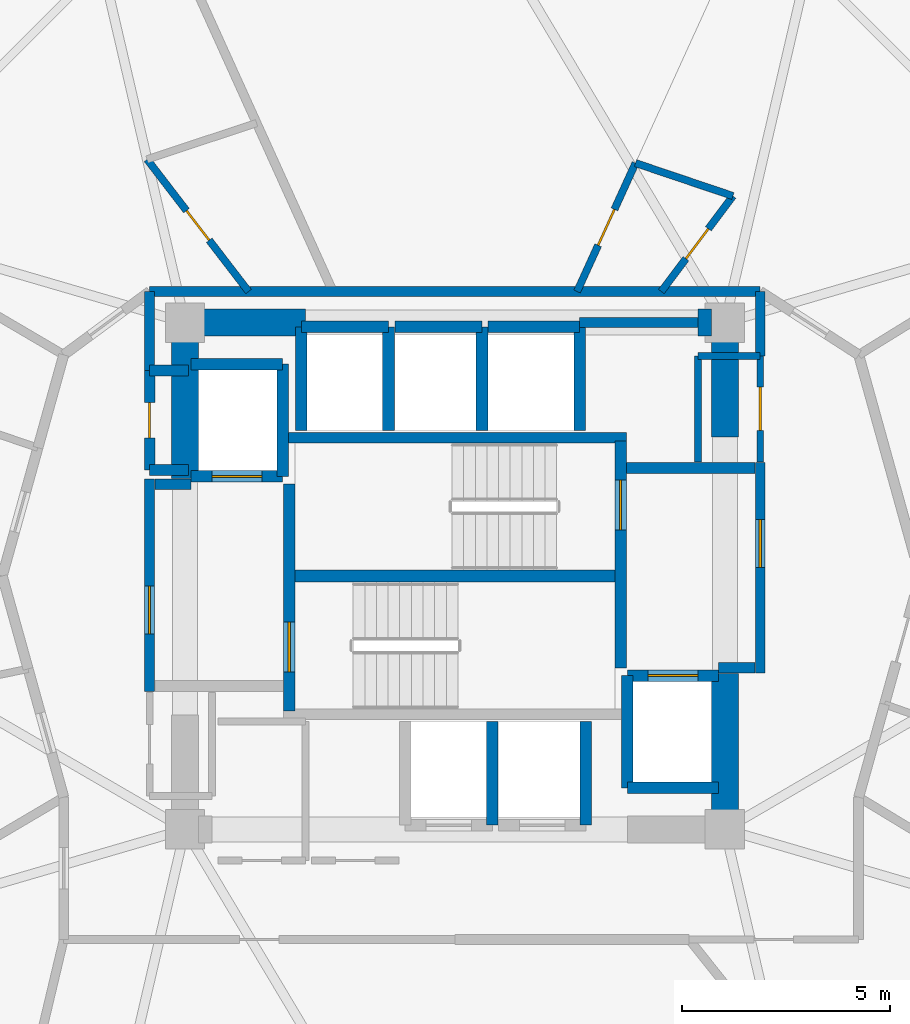
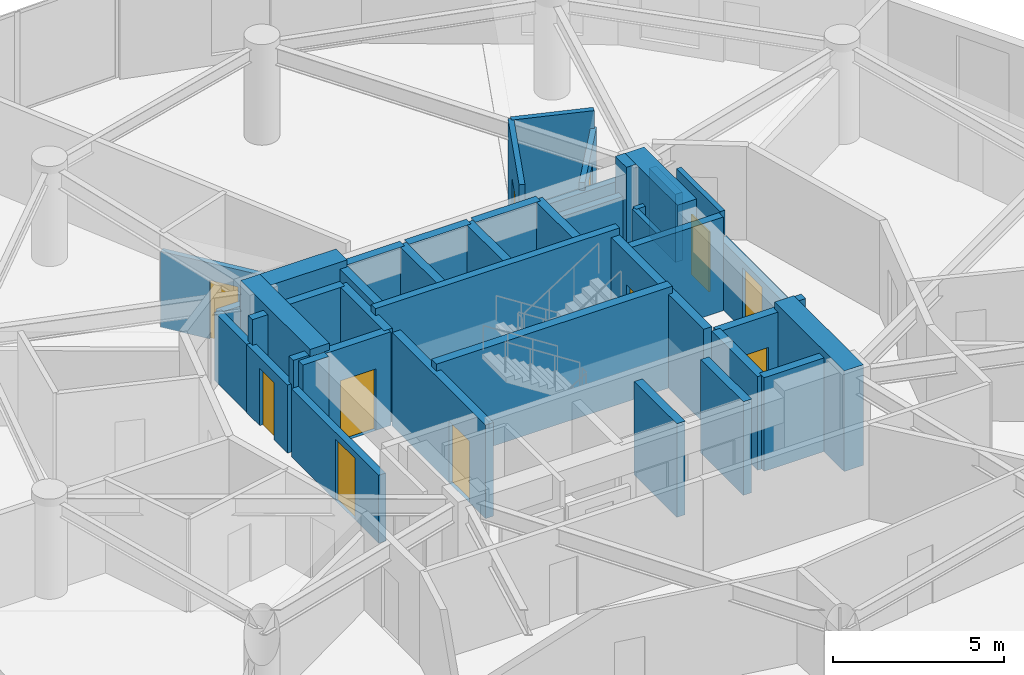
# One storey, part 21 of 25: 43 walls, 11 doors, 11 openings.
"""IFC4 building model written with IfcOpenShell, lengths in metres."""

from ifc_helpers import new_model, si_unit, direction, frame, frame_2d, origin, place, context, subcontext, project, spatial, rectangle, extrude, material, layer, layer_set, type_object, element, fill, save


model = new_model("IFC4")

# Units and contexts
model_context = context("Model", 3, precision=1e-05, world=origin(), true_north=direction((0.0, 1.0)))
body_context = subcontext(model_context, "Body", "Model", "MODEL_VIEW")
ifc_project = project(units=[si_unit("LENGTHUNIT", "METRE"), si_unit("AREAUNIT", "SQUARE_METRE"), si_unit("VOLUMEUNIT", "CUBIC_METRE"), si_unit("PLANEANGLEUNIT", "RADIAN"), si_unit("MASSUNIT", "GRAM", prefix="KILO")], contexts=[model_context])

# Site, building, storey
site_placement = place(None, origin())
site = spatial("IfcSite", under=ifc_project, at=site_placement, CompositionType="ELEMENT")
building_placement = place(site_placement, origin())
building = spatial("IfcBuilding", under=site, at=building_placement, Name="Solvirekh Grand Hotel", CompositionType="ELEMENT")
storey_placement = place(building_placement, frame((0.0, 0.0, 127.800048828125)))
storey = spatial("IfcBuildingStorey", under=building, at=storey_placement, Name="L32", CompositionType="ELEMENT", Elevation=127.800048828125)

# Walls
ifc_material_1 = material(Name="Concrete C50/60", Category="concrete")
ifc_layer_1 = layer(ifc_material_1, 0.35009765625)
ifc_layer_set_1 = layer_set([ifc_layer_1], Name="Concrete C50/60")
wall_type_1 = type_object("IfcWallType", Name="CoreDivWall_RC350", PredefinedType="SOLIDWALL", material=ifc_layer_set_1)
wall_1_placement = place(storey_placement, frame((-4.1298828125, 3.324951171875, 0.0), z_axis=(0.0, 0.0, 1.0), x_axis=(1.0, 0.0, 0.0)))
element("IfcWall", 1, at=wall_1_placement, inside=storey, type_object=wall_type_1, Name="L32 core stair box wall ST-N", PredefinedType="SOLIDWALL", context=body_context, shape_type="SweptSolid", body=[
    extrude(rectangle(XDim=8.259765625, YDim=0.25, at=frame_2d((4.1298828125, 0.0))), origin(), (0.0, 0.0, 1.0), 3.599853515625),
])
ifc_material_2 = material(Name="Concrete C40/50", Category="concrete")
ifc_layer_2 = layer(ifc_material_2, 0.280029296875)
ifc_layer_set_2 = layer_set([ifc_layer_2], Name="Concrete C40/50")
wall_type_2 = type_object("IfcWallType", Name="CoreShaftWall_RC280", PredefinedType="SOLIDWALL", material=ifc_layer_set_2)
for number, where, z_axis, x_axis, name in (
    (2, (0.89990234375, -6.0, 0.0), (0.0, 0.0, 1.0), (0.0, 1.0, 0.0), "L32 MP-1 hoistway E wall"),
    (3, (3.14990234375, -6.0, 0.0), (0.0, 0.0, 1.0), (0.0, 1.0, 0.0), "L32 MP-2 hoistway E wall"),
):
    element("IfcWall", number, at=place(storey_placement, frame(where, z_axis=z_axis, x_axis=x_axis)), inside=storey, type_object=wall_type_2, Name=name, PredefinedType="SOLIDWALL", context=body_context, shape_type="SweptSolid", body=[
        extrude(rectangle(XDim=2.5, YDim=0.280029296875, at=frame_2d((1.25, 0.0))), origin(), (0.0, 0.0, 1.0), 3.349853515625),
    ])
wall_2_placement = place(storey_placement, frame((-1.60009765625, 6.0, 0.0), z_axis=(0.0, 0.0, 1.0), x_axis=(-1.0, 0.0, 0.0)))
element("IfcWall", 4, at=wall_2_placement, inside=storey, type_object=wall_type_2, Name="L32 HP-1 hoistway N wall", PredefinedType="SOLIDWALL", context=body_context, shape_type="SweptSolid", body=[
    extrude(rectangle(XDim=2.099853515625, YDim=0.280029296875, at=frame_2d((1.0498046875, 0.0))), origin(), (0.0, 0.0, 1.0), 3.349853515625),
])
for number, where, z_axis, x_axis, name in (
    (5, (-3.699951171875, 6.0, 0.0), (0.0, 0.0, 1.0), (0.0, -1.0, 0.0), "L32 HP-1 hoistway W wall"),
    (6, (-1.60009765625, 3.5, 0.0), (0.0, 0.0, 1.0), (0.0, 1.0, 0.0), "L32 HP-1 hoistway E wall"),
):
    element("IfcWall", number, at=place(storey_placement, frame(where, z_axis=z_axis, x_axis=x_axis)), inside=storey, type_object=wall_type_2, Name=name, PredefinedType="SOLIDWALL", context=body_context, shape_type="SweptSolid", body=[
        extrude(rectangle(XDim=2.5, YDim=0.280029296875, at=frame_2d((1.25, 0.0))), origin(), (0.0, 0.0, 1.0), 3.349853515625),
    ])
wall_3_placement = place(storey_placement, frame((0.64990234375, 6.0, 0.0), z_axis=(0.0, 0.0, 1.0), x_axis=(-1.0, 0.0, 0.0)))
element("IfcWall", 7, at=wall_3_placement, inside=storey, type_object=wall_type_2, Name="L32 HP-2 hoistway N wall", PredefinedType="SOLIDWALL", context=body_context, shape_type="SweptSolid", body=[
    extrude(rectangle(XDim=2.099853515625, YDim=0.280029296875, at=frame_2d((1.0498046875, 0.0))), origin(), (0.0, 0.0, 1.0), 3.349853515625),
])
wall_4_placement = place(storey_placement, frame((0.64990234375, 3.5, 0.0), z_axis=(0.0, 0.0, 1.0), x_axis=(0.0, 1.0, 0.0)))
element("IfcWall", 8, at=wall_4_placement, inside=storey, type_object=wall_type_2, Name="L32 HP-2 hoistway E wall", PredefinedType="SOLIDWALL", context=body_context, shape_type="SweptSolid", body=[
    extrude(rectangle(XDim=2.5, YDim=0.280029296875, at=frame_2d((1.25, 0.0))), origin(), (0.0, 0.0, 1.0), 3.349853515625),
])
wall_5_placement = place(storey_placement, frame((3.0, 6.0, 0.0), z_axis=(0.0, 0.0, 1.0), x_axis=(-1.0, 0.0, 0.0)))
element("IfcWall", 9, at=wall_5_placement, inside=storey, type_object=wall_type_2, Name="L32 EX-1 hoistway N wall", PredefinedType="SOLIDWALL", context=body_context, shape_type="SweptSolid", body=[
    extrude(rectangle(XDim=2.199951171875, YDim=0.280029296875, at=frame_2d((1.10009765625, 0.0))), origin(), (0.0, 0.0, 1.0), 3.349853515625),
])
wall_6_placement = place(storey_placement, frame((3.0, 3.5, 0.0), z_axis=(0.0, 0.0, 1.0), x_axis=(0.0, 1.0, 0.0)))
element("IfcWall", 10, at=wall_6_placement, inside=storey, type_object=wall_type_2, Name="L32 EX-1 hoistway E wall", PredefinedType="SOLIDWALL", context=body_context, shape_type="SweptSolid", body=[
    extrude(rectangle(XDim=2.5, YDim=0.280029296875, at=frame_2d((1.25, 0.0))), origin(), (0.0, 0.0, 1.0), 3.349853515625),
])

# Wall, opening, door
wall_7_placement = place(storey_placement, frame((-6.35009765625, 2.39990234375, 0.0), z_axis=(0.0, 0.0, 1.0), x_axis=(1.0, 0.0, 0.0)))
wall_7 = element("IfcWall", 11, at=wall_7_placement, inside=storey, type_object=wall_type_2, Name="L32 FL-1 hoistway S wall", PredefinedType="SOLIDWALL", context=body_context, shape_type="SweptSolid", body=[
    extrude(rectangle(XDim=2.2001953125, YDim=0.280029296875, at=frame_2d((1.10009765625, 0.0))), origin(), (0.0, 0.0, 1.0), 3.349853515625),
])
opening_1_placement = place(wall_7_placement, frame((0.5, 0.0, 0.0)))
opening_1 = element("IfcOpeningElement", 12, at=opening_1_placement, cuts=wall_7, Name="Opening LD02", PredefinedType="OPENING", context=body_context, shape_type="SweptSolid", body=[
    extrude(rectangle(XDim=1.199951171875, YDim=2.199951171875, at=frame_2d((0.60009765625, 1.10009765625))), frame((0.0, 0.14990234375, 0.0), z_axis=(0.0, -1.0, 0.0), x_axis=(1.0, 0.0, 0.0)), (0.0, 0.0, 1.0), 0.300048828125),
])
ifc_material_3 = material(Name="Fire-Rated Steel Door Assembly", Category="steel")
door_type_1 = type_object("IfcDoorType", Name="Door_LiftFF_1200X2200", OperationType="SLIDING_TO_LEFT", PredefinedType="DOOR", material=ifc_material_3)
door_1_placement = place(opening_1_placement, origin())
door_1 = element("IfcDoor", 13, at=door_1_placement, inside=storey, type_object=door_type_1, Name="L32 FL-1 sliding lift landing door", OperationType="SLIDING_TO_LEFT", OverallHeight=2.199951171875, OverallWidth=1.199951171875, PredefinedType="DOOR", context=body_context, shape_type="SweptSolid", body=[
    extrude(rectangle(XDim=1.199951171875, YDim=2.199951171875, at=frame_2d((0.60009765625, 1.10009765625))), frame((0.0, 0.02490234375, 0.0), z_axis=(0.0, -1.0, 0.0), x_axis=(1.0, 0.0, 0.0)), (0.0, 0.0, 1.0), 0.050048828125),
])
fill(opening_1, door_1)

# Walls
wall_8_placement = place(storey_placement, frame((-4.14990234375, 5.10009765625, 0.0), z_axis=(0.0, 0.0, 1.0), x_axis=(-1.0, 0.0, 0.0)))
element("IfcWall", 14, at=wall_8_placement, inside=storey, type_object=wall_type_2, Name="L32 FL-1 hoistway N wall", PredefinedType="SOLIDWALL", context=body_context, shape_type="SweptSolid", body=[
    extrude(rectangle(XDim=2.2001953125, YDim=0.280029296875, at=frame_2d((1.10009765625, 0.0))), origin(), (0.0, 0.0, 1.0), 3.349853515625),
])
wall_9_placement = place(storey_placement, frame((-4.14990234375, 2.39990234375, 0.0), z_axis=(0.0, 0.0, 1.0), x_axis=(0.0, 1.0, 0.0)))
element("IfcWall", 15, at=wall_9_placement, inside=storey, type_object=wall_type_2, Name="L32 FL-1 hoistway E wall", PredefinedType="SOLIDWALL", context=body_context, shape_type="SweptSolid", body=[
    extrude(rectangle(XDim=2.7001953125, YDim=0.280029296875, at=frame_2d((1.35009765625, 0.0))), origin(), (0.0, 0.0, 1.0), 3.349853515625),
])
wall_10_placement = place(storey_placement, frame((4.14990234375, -5.10009765625, 0.0), z_axis=(0.0, 0.0, 1.0), x_axis=(1.0, 0.0, 0.0)))
element("IfcWall", 16, at=wall_10_placement, inside=storey, type_object=wall_type_2, Name="L32 FL-2 hoistway S wall", PredefinedType="SOLIDWALL", context=body_context, shape_type="SweptSolid", body=[
    extrude(rectangle(XDim=2.2001953125, YDim=0.280029296875, at=frame_2d((1.10009765625, 0.0))), origin(), (0.0, 0.0, 1.0), 3.349853515625),
])

# Wall, opening, door
wall_11_placement = place(storey_placement, frame((6.35009765625, -2.39990234375, 0.0), z_axis=(0.0, 0.0, 1.0), x_axis=(-1.0, 0.0, 0.0)))
wall_11 = element("IfcWall", 17, at=wall_11_placement, inside=storey, type_object=wall_type_2, Name="L32 FL-2 hoistway N wall", PredefinedType="SOLIDWALL", context=body_context, shape_type="SweptSolid", body=[
    extrude(rectangle(XDim=2.2001953125, YDim=0.280029296875, at=frame_2d((1.10009765625, 0.0))), origin(), (0.0, 0.0, 1.0), 3.349853515625),
])
opening_2_placement = place(wall_11_placement, frame((0.5, 0.0, 0.0)))
opening_2 = element("IfcOpeningElement", 18, at=opening_2_placement, cuts=wall_11, Name="Opening LD02", PredefinedType="OPENING", context=body_context, shape_type="SweptSolid", body=[
    extrude(rectangle(XDim=1.199951171875, YDim=2.199951171875, at=frame_2d((0.60009765625, 1.10009765625))), frame((0.0, 0.14990234375, 0.0), z_axis=(0.0, -1.0, 0.0), x_axis=(1.0, 0.0, 0.0)), (0.0, 0.0, 1.0), 0.300048828125),
])
door_2_placement = place(opening_2_placement, origin())
door_2 = element("IfcDoor", 19, at=door_2_placement, inside=storey, type_object=door_type_1, Name="L32 FL-2 sliding lift landing door", OperationType="SLIDING_TO_LEFT", OverallHeight=2.199951171875, OverallWidth=1.199951171875, PredefinedType="DOOR", context=body_context, shape_type="SweptSolid", body=[
    extrude(rectangle(XDim=1.199951171875, YDim=2.199951171875, at=frame_2d((0.60009765625, 1.10009765625))), frame((0.0, 0.02490234375, 0.0), z_axis=(0.0, -1.0, 0.0), x_axis=(1.0, 0.0, 0.0)), (0.0, 0.0, 1.0), 0.050048828125),
])
fill(opening_2, door_2)

# Wall
wall_12_placement = place(storey_placement, frame((4.14990234375, -2.39990234375, 0.0), z_axis=(0.0, 0.0, 1.0), x_axis=(0.0, -1.0, 0.0)))
element("IfcWall", 20, at=wall_12_placement, inside=storey, type_object=wall_type_2, Name="L32 FL-2 hoistway W wall", PredefinedType="SOLIDWALL", context=body_context, shape_type="SweptSolid", body=[
    extrude(rectangle(XDim=2.7001953125, YDim=0.280029296875, at=frame_2d((1.35009765625, 0.0))), origin(), (0.0, 0.0, 1.0), 3.349853515625),
])

# Wall, opening, door
wall_13_placement = place(storey_placement, frame((-3.989990234375, -3.25, 0.0), z_axis=(0.0, 0.0, 1.0), x_axis=(0.0, 1.0, 0.0)))
wall_13 = element("IfcWall", 21, at=wall_13_placement, inside=storey, type_object=wall_type_2, Name="L32 west stair landing enclosure wall", PredefinedType="SOLIDWALL", context=body_context, shape_type="SweptSolid", body=[
    extrude(rectangle(XDim=5.4599609375, YDim=0.280029296875, at=frame_2d((2.72998046875, 0.0))), origin(), (0.0, 0.0, 1.0), 3.349853515625),
])
opening_3_placement = place(wall_13_placement, frame((0.93701171875, 0.0, 0.0)))
opening_3 = element("IfcOpeningElement", 22, at=opening_3_placement, cuts=wall_13, Name="Opening D05", PredefinedType="OPENING", context=body_context, shape_type="SweptSolid", body=[
    extrude(rectangle(XDim=1.199951171875, YDim=2.199951171875, at=frame_2d((0.60009765625, 1.10009765625))), frame((0.0, 0.14990234375, 0.0), z_axis=(0.0, -1.0, 0.0), x_axis=(1.0, 0.0, 0.0)), (0.0, 0.0, 1.0), 0.300048828125),
])
door_type_2 = type_object("IfcDoorType", Name="Door_StairCore_1200X2200", OperationType="NOTDEFINED", PredefinedType="DOOR", material=ifc_material_3)
door_3_placement = place(opening_3_placement, origin())
door_3 = element("IfcDoor", 23, at=door_3_placement, inside=storey, type_object=door_type_2, Name="L32 exit stair ST-1 fire door", OperationType="SINGLE_SWING_RIGHT", OverallHeight=2.199951171875, OverallWidth=1.199951171875, PredefinedType="DOOR", context=body_context, shape_type="SweptSolid", body=[
    extrude(rectangle(XDim=1.199951171875, YDim=2.199951171875, at=frame_2d((0.60009765625, 1.10009765625))), frame((0.0, 0.02490234375, 0.0), z_axis=(0.0, -1.0, 0.0), x_axis=(1.0, 0.0, 0.0)), (0.0, 0.0, 1.0), 0.050048828125),
])
fill(opening_3, door_3)

wall_14_placement = place(storey_placement, frame((3.989990234375, -2.2099609375, 0.0), z_axis=(0.0, 0.0, 1.0), x_axis=(0.0, 1.0, 0.0)))
wall_14 = element("IfcWall", 24, at=wall_14_placement, inside=storey, type_object=wall_type_2, Name="L32 east stair landing enclosure wall", PredefinedType="SOLIDWALL", context=body_context, shape_type="SweptSolid", body=[
    extrude(rectangle(XDim=5.4599609375, YDim=0.280029296875, at=frame_2d((2.72998046875, 0.0))), origin(), (0.0, 0.0, 1.0), 3.349853515625),
])
opening_4_placement = place(wall_14_placement, frame((3.322998046875, 0.0, 0.0)))
opening_4 = element("IfcOpeningElement", 25, at=opening_4_placement, cuts=wall_14, Name="Opening D05", PredefinedType="OPENING", context=body_context, shape_type="SweptSolid", body=[
    extrude(rectangle(XDim=1.199951171875, YDim=2.199951171875, at=frame_2d((0.60009765625, 1.10009765625))), frame((0.0, 0.14990234375, 0.0), z_axis=(0.0, -1.0, 0.0), x_axis=(1.0, 0.0, 0.0)), (0.0, 0.0, 1.0), 0.300048828125),
])
door_4_placement = place(opening_4_placement, origin())
door_4 = element("IfcDoor", 26, at=door_4_placement, inside=storey, type_object=door_type_2, Name="L32 exit stair ST-2 fire door", OperationType="SINGLE_SWING_LEFT", OverallHeight=2.199951171875, OverallWidth=1.199951171875, PredefinedType="DOOR", context=body_context, shape_type="SweptSolid", body=[
    extrude(rectangle(XDim=1.199951171875, YDim=2.199951171875, at=frame_2d((0.60009765625, 1.10009765625))), frame((0.0, 0.02490234375, 0.0), z_axis=(0.0, -1.0, 0.0), x_axis=(1.0, 0.0, 0.0)), (0.0, 0.0, 1.0), 0.050048828125),
])
fill(opening_4, door_4)

# Walls
ifc_layer_3 = layer(ifc_material_1, 0.64990234375)
ifc_layer_set_3 = layer_set([ifc_layer_3], Name="Concrete C50/60")
wall_type_3 = type_object("IfcWallType", Name="CoreWall_RC650", PredefinedType="SHEAR", material=ifc_layer_set_3)
wall_15_placement = place(storey_placement, frame((-3.989990234375, 0.0, 0.0), z_axis=(0.0, 0.0, 1.0), x_axis=(1.0, 0.0, 0.0)))
element("IfcWall", 27, at=wall_15_placement, inside=storey, type_object=wall_type_3, Name="L32 central stair-spine shear wall", PredefinedType="SHEAR", context=body_context, shape_type="SweptSolid", body=[
    extrude(rectangle(XDim=7.97998046875, YDim=0.300048828125, at=frame_2d((3.989990234375, 0.0))), origin(), (0.0, 0.0, 1.0), 3.599853515625),
])
wall_16_placement = place(storey_placement, frame((-6.175048828125, 6.10009765625, 0.0), z_axis=(0.0, 0.0, 1.0), x_axis=(1.0, 0.0, 0.0)))
element("IfcWall", 28, at=wall_16_placement, inside=storey, type_object=wall_type_3, Name="L32 core corner shear wall NW-N", PredefinedType="SHEAR", context=body_context, shape_type="SweptSolid", body=[
    extrude(rectangle(XDim=2.574951171875, YDim=0.64990234375, at=frame_2d((1.28759765625, 0.0))), origin(), (0.0, 0.0, 1.0), 3.599853515625),
])
wall_17_placement = place(storey_placement, frame((5.85009765625, 6.10009765625, 0.0), z_axis=(0.0, 0.0, 1.0), x_axis=(1.0, 0.0, 0.0)))
element("IfcWall", 29, at=wall_17_placement, inside=storey, type_object=wall_type_3, Name="L32 core corner shear wall NE-N", PredefinedType="SHEAR", context=body_context, shape_type="SweptSolid", body=[
    extrude(rectangle(XDim=0.324951171875, YDim=0.64990234375, at=frame_2d((0.16259765625, 0.0))), origin(), (0.0, 0.0, 1.0), 3.599853515625),
])
for number, where, z_axis, x_axis, name in (
    (30, (-6.5, 2.35009765625, 0.0), (0.0, 0.0, 1.0), (0.0, 1.0, 0.0), "L32 core corner shear wall WN-W"),
    (31, (6.5, -6.425048828125, 0.0), (0.0, 0.0, 1.0), (0.0, 1.0, 0.0), "L32 core corner shear wall ES-E"),
):
    element("IfcWall", number, at=place(storey_placement, frame(where, z_axis=z_axis, x_axis=x_axis)), inside=storey, type_object=wall_type_3, Name=name, PredefinedType="SHEAR", context=body_context, shape_type="SweptSolid", body=[
        extrude(rectangle(XDim=4.074951171875, YDim=0.64990234375, at=frame_2d((2.03759765625, 0.0))), origin(), (0.0, 0.0, 1.0), 3.599853515625),
    ])
wall_18_placement = place(storey_placement, frame((6.5, 3.35009765625, 0.0), z_axis=(0.0, 0.0, 1.0), x_axis=(0.0, 1.0, 0.0)))
element("IfcWall", 32, at=wall_18_placement, inside=storey, type_object=wall_type_3, Name="L32 core corner shear wall EN-E", PredefinedType="SHEAR", context=body_context, shape_type="SweptSolid", body=[
    extrude(rectangle(XDim=3.074951171875, YDim=0.64990234375, at=frame_2d((1.53759765625, 0.0))), origin(), (0.0, 0.0, 1.0), 3.599853515625),
])

# Wall, opening, door
ifc_material_4 = material(Name="Acoustic Gypsum Partition Assembly")
ifc_layer_4 = layer(ifc_material_4, 0.1650390625)
ifc_layer_set_4 = layer_set([ifc_layer_4], Name="Acoustic Gypsum Partition Assembly")
wall_type_4 = type_object("IfcWallType", Name="Part_BOH_165", PredefinedType="PARTITIONING", material=ifc_layer_set_4)
wall_19_placement = place(storey_placement, frame((7.35009765625, 2.75, 0.0), z_axis=(0.0, 0.0, 1.0), x_axis=(0.0, 1.0, 0.0)))
wall_19 = element("IfcWall", 33, at=wall_19_placement, inside=storey, type_object=wall_type_4, Name="L32 L32 Telecom Distribution Room wall 2", PredefinedType="PARTITIONING", context=body_context, shape_type="SweptSolid", body=[
    extrude(rectangle(XDim=2.550048828125, YDim=0.1650390625, at=frame_2d((1.27490234375, 0.0))), origin(), (0.0, 0.0, 1.0), 3.349853515625),
])
opening_5_placement = place(wall_19_placement, frame((0.75, 0.0, 0.0)))
opening_5 = element("IfcOpeningElement", 34, at=opening_5_placement, cuts=wall_19, Name="Opening D12", PredefinedType="OPENING", context=body_context, shape_type="SweptSolid", body=[
    extrude(rectangle(XDim=1.050048828125, YDim=2.14990234375, at=frame_2d((0.52490234375, 1.074951171875))), frame((0.0, 0.092529296875, 0.0), z_axis=(0.0, -1.0, 0.0), x_axis=(1.0, 0.0, 0.0)), (0.0, 0.0, 1.0), 0.18505859375),
])
door_type_3 = type_object("IfcDoorType", Name="Door_PlantBOH_1050X2150", OperationType="NOTDEFINED", PredefinedType="DOOR", material=ifc_material_3)
door_5_placement = place(opening_5_placement, origin())
door_5 = element("IfcDoor", 35, at=door_5_placement, inside=storey, type_object=door_type_3, Name="L32 L32 Telecom Distribution Room door", OperationType="SINGLE_SWING_RIGHT", OverallHeight=2.14990234375, OverallWidth=1.050048828125, PredefinedType="DOOR", context=body_context, shape_type="SweptSolid", body=[
    extrude(rectangle(XDim=1.050048828125, YDim=2.14990234375, at=frame_2d((0.52490234375, 1.074951171875))), frame((0.0, 0.02490234375, 0.0), z_axis=(0.0, -1.0, 0.0), x_axis=(1.0, 0.0, 0.0)), (0.0, 0.0, 1.0), 0.050048828125),
])
fill(opening_5, door_5)

# Walls
wall_20_placement = place(storey_placement, frame((7.35009765625, 5.300048828125, 0.0), z_axis=(0.0, 0.0, 1.0), x_axis=(-1.0, 0.0, 0.0)))
element("IfcWall", 36, at=wall_20_placement, inside=storey, type_object=wall_type_4, Name="L32 L32 Telecom Distribution Room wall 3", PredefinedType="PARTITIONING", context=body_context, shape_type="SweptSolid", body=[
    extrude(rectangle(XDim=1.5, YDim=0.1650390625, at=frame_2d((0.75, 0.0))), origin(), (0.0, 0.0, 1.0), 2.43505859375),
])
wall_21_placement = place(storey_placement, frame((5.85009765625, 5.300048828125, 0.0), z_axis=(0.0, 0.0, 1.0), x_axis=(0.0, -1.0, 0.0)))
element("IfcWall", 37, at=wall_21_placement, inside=storey, type_object=wall_type_4, Name="L32 L32 Telecom Distribution Room wall 4", PredefinedType="PARTITIONING", context=body_context, shape_type="SweptSolid", body=[
    extrude(rectangle(XDim=2.550048828125, YDim=0.1650390625, at=frame_2d((1.27490234375, 0.0))), origin(), (0.0, 0.0, 1.0), 2.43505859375),
])

# Wall, opening, door
ifc_layer_5 = layer(ifc_material_4, 0.239990234375)
ifc_layer_set_5 = layer_set([ifc_layer_5], Name="Acoustic Gypsum Partition Assembly")
wall_type_5 = type_object("IfcWallType", Name="Part_Corridor_240", PredefinedType="PARTITIONING", material=ifc_layer_set_5)
wall_22_placement = place(storey_placement, frame((-7.35009765625, -2.780029296875, 0.0), z_axis=(0.0, 0.0, 1.0), x_axis=(0.0, 1.0, 0.0)))
wall_22 = element("IfcWall", 38, at=wall_22_placement, inside=storey, type_object=wall_type_5, Name="L32 west firefighting lobby smoke screen wall", PredefinedType="PARTITIONING", context=body_context, shape_type="SweptSolid", body=[
    extrude(rectangle(XDim=5.1201171875, YDim=0.239990234375, at=frame_2d((2.56005859375, 0.0))), origin(), (0.0, 0.0, 1.0), 2.43505859375),
])
opening_6_placement = place(wall_22_placement, frame((1.388916015625, 0.0, 0.0)))
opening_6 = element("IfcOpeningElement", 39, at=opening_6_placement, cuts=wall_22, Name="Opening D06", PredefinedType="OPENING", context=body_context, shape_type="SweptSolid", body=[
    extrude(rectangle(XDim=1.14990234375, YDim=2.199951171875, at=frame_2d((0.574951171875, 1.10009765625))), frame((0.0, 0.1298828125, 0.0), z_axis=(0.0, -1.0, 0.0), x_axis=(1.0, 0.0, 0.0)), (0.0, 0.0, 1.0), 0.260009765625),
])
door_type_4 = type_object("IfcDoorType", Name="Door_FFLobby_1150X2200", OperationType="NOTDEFINED", PredefinedType="DOOR", material=ifc_material_3)
door_6_placement = place(opening_6_placement, origin())
door_6 = element("IfcDoor", 40, at=door_6_placement, inside=storey, type_object=door_type_4, Name="L32 west firefighting lobby smoke door", OperationType="SINGLE_SWING_RIGHT", OverallHeight=2.199951171875, OverallWidth=1.14990234375, PredefinedType="DOOR", context=body_context, shape_type="SweptSolid", body=[
    extrude(rectangle(XDim=1.14990234375, YDim=2.199951171875, at=frame_2d((0.574951171875, 1.10009765625))), frame((0.0, 0.02490234375, 0.0), z_axis=(0.0, -1.0, 0.0), x_axis=(1.0, 0.0, 0.0)), (0.0, 0.0, 1.0), 0.050048828125),
])
fill(opening_6, door_6)

wall_23_placement = place(storey_placement, frame((7.35009765625, -2.340087890625, 0.0), z_axis=(0.0, 0.0, 1.0), x_axis=(0.0, 1.0, 0.0)))
wall_23 = element("IfcWall", 41, at=wall_23_placement, inside=storey, type_object=wall_type_5, Name="L32 east firefighting lobby smoke screen wall", PredefinedType="PARTITIONING", context=body_context, shape_type="SweptSolid", body=[
    extrude(rectangle(XDim=5.070068359375, YDim=0.239990234375, at=frame_2d((2.53515625, 0.0))), origin(), (0.0, 0.0, 1.0), 2.43505859375),
])
opening_7_placement = place(wall_23_placement, frame((2.548095703125, 0.0, 0.0)))
opening_7 = element("IfcOpeningElement", 42, at=opening_7_placement, cuts=wall_23, Name="Opening D06", PredefinedType="OPENING", context=body_context, shape_type="SweptSolid", body=[
    extrude(rectangle(XDim=1.14990234375, YDim=2.199951171875, at=frame_2d((0.574951171875, 1.10009765625))), frame((0.0, 0.1298828125, 0.0), z_axis=(0.0, -1.0, 0.0), x_axis=(1.0, 0.0, 0.0)), (0.0, 0.0, 1.0), 0.260009765625),
])
door_7_placement = place(opening_7_placement, origin())
door_7 = element("IfcDoor", 43, at=door_7_placement, inside=storey, type_object=door_type_4, Name="L32 east firefighting lobby smoke door", OperationType="SINGLE_SWING_LEFT", OverallHeight=2.199951171875, OverallWidth=1.14990234375, PredefinedType="DOOR", context=body_context, shape_type="SweptSolid", body=[
    extrude(rectangle(XDim=1.14990234375, YDim=2.199951171875, at=frame_2d((0.574951171875, 1.10009765625))), frame((0.0, 0.02490234375, 0.0), z_axis=(0.0, -1.0, 0.0), x_axis=(1.0, 0.0, 0.0)), (0.0, 0.0, 1.0), 0.050048828125),
])
fill(opening_7, door_7)

# Walls
wall_24_placement = place(storey_placement, frame((-7.35009765625, 6.85009765625, 0.0), z_axis=(0.0, 0.0, 1.0), x_axis=(1.0, 0.0, 0.0)))
element("IfcWall", 44, at=wall_24_placement, inside=storey, type_object=wall_type_5, Name="L32 north core backing partition", PredefinedType="PARTITIONING", context=body_context, shape_type="SweptSolid", body=[
    extrude(rectangle(XDim=14.7001953125, YDim=0.239990234375, at=frame_2d((7.35009765625, 0.0))), origin(), (0.0, 0.0, 1.0), 2.43505859375),
])
wall_25_placement = place(storey_placement, frame((-7.35009765625, 4.949951171875, 0.0), z_axis=(0.0, 0.0, 1.0), x_axis=(0.0, 1.0, 0.0)))
element("IfcWall", 45, at=wall_25_placement, inside=storey, type_object=wall_type_5, Name="L32 NW core cheek closure wall", PredefinedType="PARTITIONING", context=body_context, shape_type="SweptSolid", body=[
    extrude(rectangle(XDim=1.900146484375, YDim=0.239990234375, at=frame_2d((0.9501953125, 0.0))), origin(), (0.0, 0.0, 1.0), 2.43505859375),
])
wall_26_placement = place(storey_placement, frame((7.35009765625, 5.300048828125, 0.0), z_axis=(0.0, 0.0, 1.0), x_axis=(0.0, 1.0, 0.0)))
element("IfcWall", 46, at=wall_26_placement, inside=storey, type_object=wall_type_5, Name="L32 NE core cheek closure wall", PredefinedType="PARTITIONING", context=body_context, shape_type="SweptSolid", body=[
    extrude(rectangle(XDim=1.550048828125, YDim=0.239990234375, at=frame_2d((0.77490234375, 0.0))), origin(), (0.0, 0.0, 1.0), 2.43505859375),
])
wall_27_placement = place(storey_placement, frame((3.0, 6.10009765625, 0.0), z_axis=(0.0, 0.0, 1.0), x_axis=(1.0, 0.0, 0.0)))
element("IfcWall", 47, at=wall_27_placement, inside=storey, type_object=wall_type_5, Name="L32 north core shaft infill wall", PredefinedType="PARTITIONING", context=body_context, shape_type="SweptSolid", body=[
    extrude(rectangle(XDim=2.85009765625, YDim=0.239990234375, at=frame_2d((1.425048828125, 0.0))), origin(), (0.0, 0.0, 1.0), 2.43505859375),
])
ifc_layer_6 = layer(ifc_material_4, 0.260009765625)
ifc_layer_set_6 = layer_set([ifc_layer_6], Name="Acoustic Gypsum Partition Assembly")
wall_type_6 = type_object("IfcWallType", Name="Part_LobbyFF_260", PredefinedType="PARTITIONING", material=ifc_layer_set_6)
for number, where, z_axis, x_axis, name in (
    (48, (-7.22509765625, 2.2099609375, 0.0), (0.0, 0.0, 1.0), (1.0, 0.0, 0.0), "L32 west firefighting lobby NW cheek"),
    (49, (6.35009765625, -2.2099609375, 0.0), (0.0, 0.0, 1.0), (1.0, 0.0, 0.0), "L32 east firefighting lobby SE cheek"),
):
    element("IfcWall", number, at=place(storey_placement, frame(where, z_axis=z_axis, x_axis=x_axis)), inside=storey, type_object=wall_type_6, Name=name, PredefinedType="PARTITIONING", context=body_context, shape_type="SweptSolid", body=[
        extrude(rectangle(XDim=0.875, YDim=0.260009765625, at=frame_2d((0.4375, 0.0))), origin(), (0.0, 0.0, 1.0), 3.349853515625),
    ])
wall_28_placement = place(storey_placement, frame((4.1298828125, 2.60009765625, 0.0), z_axis=(0.0, 0.0, 1.0), x_axis=(1.0, 0.0, 0.0)))
element("IfcWall", 50, at=wall_28_placement, inside=storey, type_object=wall_type_6, Name="L32 east firefighting lobby north partition", PredefinedType="PARTITIONING", context=body_context, shape_type="SweptSolid", body=[
    extrude(rectangle(XDim=3.09521484375, YDim=0.260009765625, at=frame_2d((1.547607421875, 0.0))), origin(), (0.0, 0.0, 1.0), 3.349853515625),
])
for number, where, z_axis, x_axis, name in (
    (51, (-7.35009765625, 4.949951171875, 0.0), (0.0, 0.0, 1.0), (1.0, 0.0, 0.0), "L32 NW telecom metering cupboard north wall"),
    (52, (-7.35009765625, 2.550048828125, 0.0), (0.0, 0.0, 1.0), (1.0, 0.0, 0.0), "L32 NW telecom metering cupboard south wall"),
):
    element("IfcWall", number, at=place(storey_placement, frame(where, z_axis=z_axis, x_axis=x_axis)), inside=storey, type_object=wall_type_6, Name=name, PredefinedType="PARTITIONING", context=body_context, shape_type="SweptSolid", body=[
        extrude(rectangle(XDim=0.93017578125, YDim=0.260009765625, at=frame_2d((0.465087890625, 0.0))), origin(), (0.0, 0.0, 1.0), 3.349853515625),
    ])

# Wall, opening, door
wall_29_placement = place(storey_placement, frame((-7.35009765625, 2.550048828125, 0.0), z_axis=(0.0, 0.0, 1.0), x_axis=(0.0, 1.0, 0.0)))
wall_29 = element("IfcWall", 53, at=wall_29_placement, inside=storey, type_object=wall_type_6, Name="L32 NW telecom metering cupboard access wall", PredefinedType="PARTITIONING", context=body_context, shape_type="SweptSolid", body=[
    extrude(rectangle(XDim=2.39990234375, YDim=0.260009765625, at=frame_2d((1.199951171875, 0.0))), origin(), (0.0, 0.0, 1.0), 2.43505859375),
])
opening_8_placement = place(wall_29_placement, frame((0.77490234375, 0.0, 0.0)))
opening_8 = element("IfcOpeningElement", 54, at=opening_8_placement, cuts=wall_29, Name="Opening D13", PredefinedType="OPENING", context=body_context, shape_type="SweptSolid", body=[
    extrude(rectangle(XDim=0.85009765625, YDim=2.050048828125, at=frame_2d((0.425048828125, 1.02490234375))), frame((0.0, 0.14013671875, 0.0), z_axis=(0.0, -1.0, 0.0), x_axis=(1.0, 0.0, 0.0)), (0.0, 0.0, 1.0), 0.280029296875),
])
door_type_5 = type_object("IfcDoorType", Name="Door_RiserShaft_850X2050", OperationType="NOTDEFINED", PredefinedType="DOOR", material=ifc_material_3)
door_8_placement = place(opening_8_placement, origin())
door_8 = element("IfcDoor", 55, at=door_8_placement, inside=storey, type_object=door_type_5, Name="L32 telecom metering cupboard access door", OperationType="SINGLE_SWING_RIGHT", OverallHeight=2.050048828125, OverallWidth=0.85009765625, PredefinedType="DOOR", context=body_context, shape_type="SweptSolid", body=[
    extrude(rectangle(XDim=0.85009765625, YDim=2.050048828125, at=frame_2d((0.425048828125, 1.02490234375))), frame((0.0, 0.02490234375, 0.0), z_axis=(0.0, -1.0, 0.0), x_axis=(1.0, 0.0, 0.0)), (0.0, 0.0, 1.0), 0.050048828125),
])
fill(opening_8, door_8)

# Wall
ifc_layer_7 = layer(ifc_material_4, 0.175048828125)
ifc_layer_set_7 = layer_set([ifc_layer_7], Name="Acoustic Gypsum Partition Assembly")
wall_type_7 = type_object("IfcWallType", Name="Plumb_Ensuite_175", PredefinedType="PLUMBINGWALL", material=ifc_layer_set_7)
wall_30_placement = place(storey_placement, frame((4.346923828125, 9.94189453125, 0.0), z_axis=(0.0, 0.0, 1.0), x_axis=(0.947423144853, -0.319983413004, 0.0)))
element("IfcWall", 56, at=wall_30_placement, inside=storey, type_object=wall_type_7, Name="L32 En-suite Bathroom 3401 outer plumbing wall", PredefinedType="PLUMBINGWALL", context=body_context, shape_type="SweptSolid", body=[
    extrude(rectangle(XDim=2.47509765625, YDim=0.175048828125, at=frame_2d((1.237548828125, 0.0))), origin(), (0.0, 0.0, 1.0), 3.349853515625),
])

# Wall, opening, door
wall_31_placement = place(storey_placement, frame((4.346923828125, 9.94189453125, 0.0), z_axis=(0.0, 0.0, 1.0), x_axis=(-0.414198201163, -0.910186711699, 0.0)))
wall_31 = element("IfcWall", 57, at=wall_31_placement, inside=storey, type_object=wall_type_7, Name="L32 En-suite Bathroom 3401 side plumbing wall", PredefinedType="PLUMBINGWALL", context=body_context, shape_type="SweptSolid", body=[
    extrude(rectangle(XDim=3.39697265625, YDim=0.175048828125, at=frame_2d((1.698486328125, 0.0))), origin(), (0.0, 0.0, 1.0), 3.349853515625),
])
opening_9_placement = place(wall_31_placement, frame((1.22412109375, 0.0, 0.0)))
opening_9 = element("IfcOpeningElement", 58, at=opening_9_placement, cuts=wall_31, Name="Opening D10", PredefinedType="OPENING", context=body_context, shape_type="SweptSolid", body=[
    extrude(rectangle(XDim=0.949951171875, YDim=2.10009765625, at=frame_2d((0.47509765625, 1.050048828125))), frame((0.0, 0.09765625, 0.0), z_axis=(0.0, -1.0, 0.0), x_axis=(1.0, 0.0, 0.0)), (0.0, 0.0, 1.0), 0.195068359375),
])
ifc_material_5 = material(Name="Anodized Bronze Aluminium 6063-T6", Category="aluminium")
door_type_6 = type_object("IfcDoorType", Name="Door_RoomInt_950X2100", OperationType="NOTDEFINED", PredefinedType="DOOR", material=ifc_material_5)
door_9_placement = place(opening_9_placement, origin())
door_9 = element("IfcDoor", 59, at=door_9_placement, inside=storey, type_object=door_type_6, Name="L32 Panorama Suite 3401 North Observatory Study master bedroom door", OperationType="SINGLE_SWING_LEFT", OverallHeight=2.10009765625, OverallWidth=0.949951171875, PredefinedType="DOOR", context=body_context, shape_type="SweptSolid", body=[
    extrude(rectangle(XDim=0.949951171875, YDim=2.10009765625, at=frame_2d((0.47509765625, 1.050048828125))), frame((0.0, 0.02490234375, 0.0), z_axis=(0.0, -1.0, 0.0), x_axis=(1.0, 0.0, 0.0)), (0.0, 0.0, 1.0), 0.050048828125),
])
fill(opening_9, door_9)

wall_32_placement = place(storey_placement, frame((4.968994140625, 6.85009765625, 0.0), z_axis=(0.0, 0.0, 1.0), x_axis=(0.59956491451, 0.80032612933, 0.0)))
wall_32 = element("IfcWall", 60, at=wall_32_placement, inside=storey, type_object=wall_type_7, Name="L32 En-suite Bathroom 3401 entry plumbing wall", PredefinedType="PLUMBINGWALL", context=body_context, shape_type="SweptSolid", body=[
    extrude(rectangle(XDim=2.87353515625, YDim=0.175048828125, at=frame_2d((1.436767578125, 0.0))), origin(), (0.0, 0.0, 1.0), 2.717041015625),
])
opening_10_placement = place(wall_32_placement, frame((0.987060546875, 0.0, 0.0)))
opening_10 = element("IfcOpeningElement", 61, at=opening_10_placement, cuts=wall_32, Name="Opening D09", PredefinedType="OPENING", context=body_context, shape_type="SweptSolid", body=[
    extrude(rectangle(XDim=0.89990234375, YDim=2.10009765625, at=frame_2d((0.449951171875, 1.050048828125))), frame((0.0, 0.09765625, 0.0), z_axis=(0.0, -1.0, 0.0), x_axis=(1.0, 0.0, 0.0)), (0.0, 0.0, 1.0), 0.195068359375),
])
door_type_7 = type_object("IfcDoorType", Name="Door_Ensuite_900X2100", OperationType="NOTDEFINED", PredefinedType="DOOR", material=ifc_material_5)
door_10_placement = place(opening_10_placement, origin())
door_10 = element("IfcDoor", 62, at=door_10_placement, inside=storey, type_object=door_type_7, Name="L32 En-suite Bathroom 3401 door", OperationType="SINGLE_SWING_LEFT", OverallHeight=2.10009765625, OverallWidth=0.89990234375, PredefinedType="DOOR", context=body_context, shape_type="SweptSolid", body=[
    extrude(rectangle(XDim=0.89990234375, YDim=2.10009765625, at=frame_2d((0.449951171875, 1.050048828125))), frame((0.0, 0.02490234375, 0.0), z_axis=(0.0, -1.0, 0.0), x_axis=(1.0, 0.0, 0.0)), (0.0, 0.0, 1.0), 0.050048828125),
])
fill(opening_10, door_10)

wall_33_placement = place(storey_placement, frame((-7.4130859375, 10.031982421875, 0.0), z_axis=(0.0, 0.0, 1.0), x_axis=(0.609160709833, -0.793046801643, 0.0)))
wall_33 = element("IfcWall", 63, at=wall_33_placement, inside=storey, type_object=wall_type_7, Name="L32 En-suite Bathroom 3402 entry plumbing wall", PredefinedType="PLUMBINGWALL", context=body_context, shape_type="SweptSolid", body=[
    extrude(rectangle(XDim=4.01220703125, YDim=0.175048828125, at=frame_2d((2.006103515625, 0.0))), origin(), (0.0, 0.0, 1.0), 2.717041015625),
])
opening_11_placement = place(wall_33_placement, frame((1.555908203125, 0.0, 0.0)))
opening_11 = element("IfcOpeningElement", 64, at=opening_11_placement, cuts=wall_33, Name="Opening D09", PredefinedType="OPENING", context=body_context, shape_type="SweptSolid", body=[
    extrude(rectangle(XDim=0.89990234375, YDim=2.10009765625, at=frame_2d((0.449951171875, 1.050048828125))), frame((0.0, 0.09765625, 0.0), z_axis=(0.0, -1.0, 0.0), x_axis=(1.0, 0.0, 0.0)), (0.0, 0.0, 1.0), 0.195068359375),
])
door_11_placement = place(opening_11_placement, origin())
door_11 = element("IfcDoor", 65, at=door_11_placement, inside=storey, type_object=door_type_7, Name="L32 En-suite Bathroom 3402 door", OperationType="SINGLE_SWING_RIGHT", OverallHeight=2.10009765625, OverallWidth=0.89990234375, PredefinedType="DOOR", context=body_context, shape_type="SweptSolid", body=[
    extrude(rectangle(XDim=0.89990234375, YDim=2.10009765625, at=frame_2d((0.449951171875, 1.050048828125))), frame((0.0, 0.02490234375, 0.0), z_axis=(0.0, -1.0, 0.0), x_axis=(1.0, 0.0, 0.0)), (0.0, 0.0, 1.0), 0.050048828125),
])
fill(opening_11, door_11)

save(model, "model.ifc")
